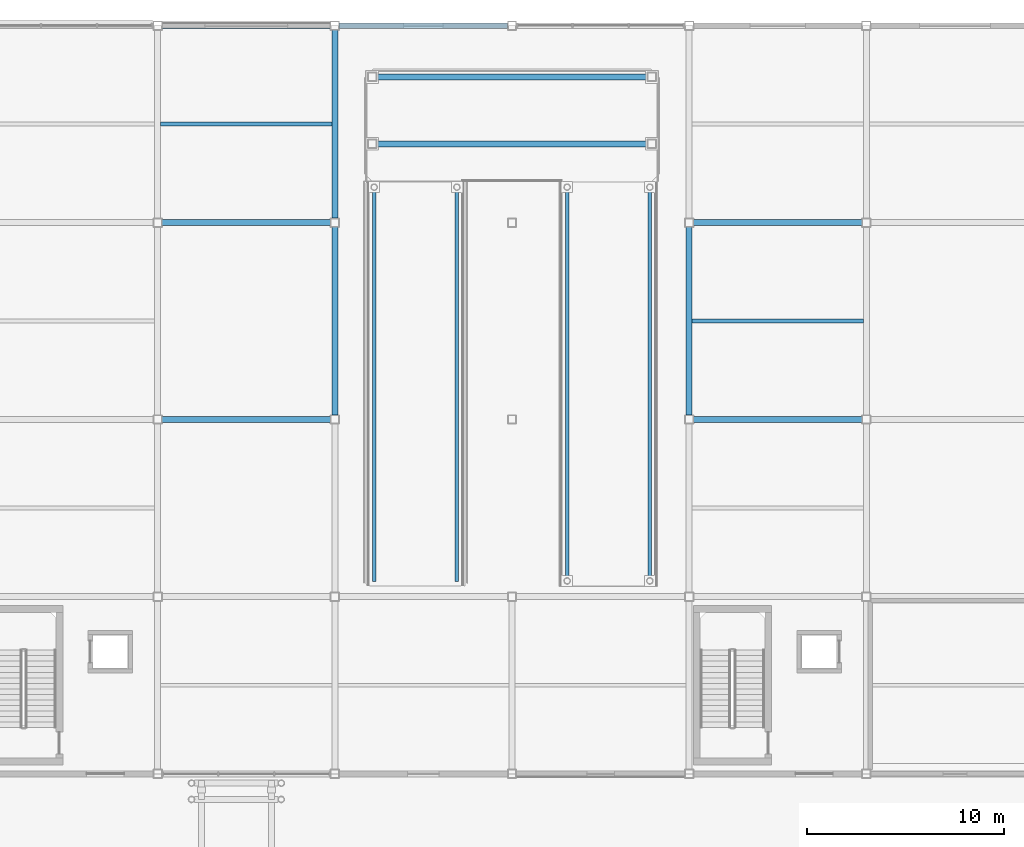
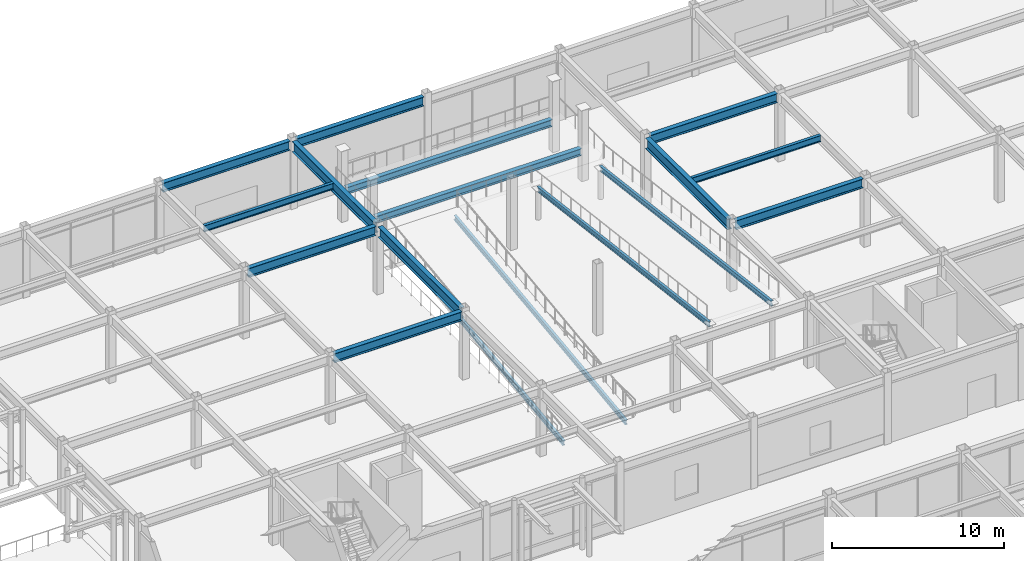
# One storey, part 51 of 123: 17 beams.
"""IFC4 building model written with IfcOpenShell, lengths in metres."""

from ifc_helpers import new_model, si_unit, direction, frame, origin, origin_2d, place, context, subcontext, project, spatial, i_section, extrude, material, material_profile, profile_set, type_object, element, save


model = new_model("IFC4")

# Units and contexts
model_context = context("Model", 3, precision=1e-05, world=origin(), true_north=direction((0.0, 1.0)))
body_context = subcontext(model_context, "Body", "Model", "MODEL_VIEW")
ifc_project = project(units=[si_unit("LENGTHUNIT", "METRE"), si_unit("AREAUNIT", "SQUARE_METRE"), si_unit("VOLUMEUNIT", "CUBIC_METRE"), si_unit("PLANEANGLEUNIT", "RADIAN"), si_unit("MASSUNIT", "GRAM", prefix="KILO")], contexts=[model_context])

# Site, building, storey
site_placement = place(None, origin())
site = spatial("IfcSite", under=ifc_project, at=site_placement, CompositionType="ELEMENT")
building_placement = place(site_placement, origin())
building = spatial("IfcBuilding", under=site, at=building_placement, Name="Suzunagisa Mobility Hub", CompositionType="ELEMENT")
storey_placement = place(building_placement, origin())
storey = spatial("IfcBuildingStorey", under=building, at=storey_placement, Name="L00", CompositionType="ELEMENT", Elevation=0.0)

# Beams
ifc_material_1 = material(Name="Steel SN400B", Category="steel")
ifc_material_profile_1 = material_profile(ifc_material_1, i_section(OverallWidth=0.175048828125, OverallDepth=0.35009765625, WebThickness=0.007080078125, FlangeThickness=0.010986328125, FilletRadius=0.008056640625, at=origin_2d()), Name="H-350x175x7x11")
ifc_profile_set_1 = profile_set([ifc_material_profile_1], Name="Steel SN400B")
beam_type_1 = type_object("IfcBeamType", Name="Steel Beam BM-03 H-350x175x7x11", PredefinedType="JOIST", material=ifc_profile_set_1)
for number, where, z_axis, x_axis, name in (
    (1, (74.0, 89.800048828125, -0.40380859375), (0.0, 0.992352243195, 0.123438346657), (-1.0, 0.0, 0.0), "L00 Vehicle Ramp Stringer Beam VR-03-F1-2309"),
    (2, (78.199951171875, 89.800048828125, -0.40380859375), (0.0, 0.992352243195, 0.123438346657), (-1.0, 0.0, 0.0), "L00 Vehicle Ramp Stringer Beam VR-03-F1-2310"),
    (3, (83.800048828125, 109.800048828125, 2.146240234375), (0.0, -0.992352243195, 0.123438346657), (1.0, 0.0, 0.0), "L00 Vehicle Ramp Stringer Beam VR-03-F2-2311"),
    (4, (88.0, 109.800048828125, 2.146240234375), (0.0, -0.992352243195, 0.123438346657), (1.0, 0.0, 0.0), "L00 Vehicle Ramp Stringer Beam VR-03-F2-2312"),
):
    element("IfcBeam", number, at=place(storey_placement, frame(where, z_axis=z_axis, x_axis=x_axis)), inside=storey, type_object=beam_type_1, Name=name, PredefinedType="JOIST", context=body_context, shape_type="SweptSolid", body=[
        extrude(i_section(OverallWidth=0.175048828125, OverallDepth=0.35009765625, WebThickness=0.007080078125, FlangeThickness=0.010986328125, FilletRadius=0.008056640625, at=origin_2d()), origin(), (0.0, 0.0, 1.0), 20.154052734375),
    ])
ifc_material_profile_2 = material_profile(ifc_material_1, i_section(OverallWidth=0.199951171875, OverallDepth=0.449951171875, WebThickness=0.009033203125, FlangeThickness=0.013916015625, FilletRadius=0.012939453125, at=origin_2d()), Name="H-450x200x9x14")
ifc_profile_set_2 = profile_set([ifc_material_profile_2], Name="Steel SN400B")
beam_type_2 = type_object("IfcBeamType", Name="Steel Beam BM-05 H-450x200x9x14", PredefinedType="JOIST", material=ifc_profile_set_2)
for number, where, z_axis, x_axis, name in (
    (5, (63.14990234375, 113.0, 4.614990234375), (1.0, 0.0, 0.0), (0.0, 1.0, 0.0), "L00 Composite Floor Joist J-787"),
    (6, (90.14990234375, 103.0, 4.614990234375), (1.0, 0.0, 0.0), (0.0, 1.0, 0.0), "L00 Composite Floor Joist J-791"),
):
    element("IfcBeam", number, at=place(storey_placement, frame(where, z_axis=z_axis, x_axis=x_axis)), inside=storey, type_object=beam_type_2, Name=name, PredefinedType="JOIST", context=body_context, shape_type="SweptSolid", body=[
        extrude(i_section(OverallWidth=0.199951171875, OverallDepth=0.449951171875, WebThickness=0.009033203125, FlangeThickness=0.013916015625, FilletRadius=0.012939453125, at=origin_2d()), origin(), (0.0, 0.0, 1.0), 8.7001953125),
    ])
ifc_material_2 = material(Name="Steel SN490B", Category="steel")
ifc_material_profile_3 = material_profile(ifc_material_2, i_section(OverallWidth=0.300048828125, OverallDepth=0.488037109375, WebThickness=0.010986328125, FlangeThickness=0.01806640625, FilletRadius=0.012939453125, at=origin_2d()), Name="H-488x300x11x18")
ifc_profile_set_3 = profile_set([ifc_material_profile_3], Name="Steel SN490B")
beam_type_3 = type_object("IfcBeamType", Name="Steel Beam BM-06 H-488x300x11x18", PredefinedType="BEAM", material=ifc_profile_set_3)
for number, where, z_axis, x_axis, name in (
    (7, (74.06005859375, 112.0, 2.055908203125), (1.0, 0.0, 0.0), (0.0, 1.0, 0.0), "L00 Ramp Turn Deck Support Girder 2313"),
    (8, (74.06005859375, 115.39990234375, 2.055908203125), (1.0, 0.0, 0.0), (0.0, 1.0, 0.0), "L00 Ramp Turn Deck Support Girder 2314"),
):
    element("IfcBeam", number, at=place(storey_placement, frame(where, z_axis=z_axis, x_axis=x_axis)), inside=storey, type_object=beam_type_3, Name=name, PredefinedType="BEAM", context=body_context, shape_type="SweptSolid", body=[
        extrude(i_section(OverallWidth=0.300048828125, OverallDepth=0.488037109375, WebThickness=0.010986328125, FlangeThickness=0.01806640625, FilletRadius=0.012939453125, at=origin_2d()), origin(), (0.0, 0.0, 1.0), 13.8798828125),
    ])
ifc_material_profile_4 = material_profile(ifc_material_2, i_section(OverallWidth=0.300048828125, OverallDepth=0.64990234375, WebThickness=0.012939453125, FlangeThickness=0.02197265625, FilletRadius=0.01611328125, at=origin_2d()), Name="H-650x300x13x22")
ifc_profile_set_4 = profile_set([ifc_material_profile_4], Name="Steel SN490B")
beam_type_4 = type_object("IfcBeamType", Name="Steel Beam BM-10 H-650x300x13x22", PredefinedType="BEAM", material=ifc_profile_set_4)
for number, where, z_axis, x_axis, name in (
    (9, (63.220947265625, 98.0, 4.514892578125), (1.0, 0.0, 0.0), (0.0, 1.0, 0.0), "L00 Primary Girder GX-722"),
    (10, (90.220947265625, 98.0, 4.514892578125), (1.0, 0.0, 0.0), (0.0, 1.0, 0.0), "L00 Primary Girder GX-723"),
    (11, (63.220947265625, 108.0, 4.514892578125), (1.0, 0.0, 0.0), (0.0, 1.0, 0.0), "L00 Primary Girder GX-729"),
    (12, (90.220947265625, 108.0, 4.514892578125), (1.0, 0.0, 0.0), (0.0, 1.0, 0.0), "L00 Primary Girder GX-730"),
    (13, (63.220947265625, 118.0, 4.514892578125), (1.0, 0.0, 0.0), (0.0, 1.0, 0.0), "L00 Primary Girder GX-736"),
    (14, (72.220947265625, 118.0, 4.514892578125), (1.0, 0.0, 0.0), (0.0, 1.0, 0.0), "L00 Primary Girder GX-737"),
):
    element("IfcBeam", number, at=place(storey_placement, frame(where, z_axis=z_axis, x_axis=x_axis)), inside=storey, type_object=beam_type_4, Name=name, PredefinedType="BEAM", context=body_context, shape_type="SweptSolid", body=[
        extrude(i_section(OverallWidth=0.300048828125, OverallDepth=0.64990234375, WebThickness=0.012939453125, FlangeThickness=0.02197265625, FilletRadius=0.01611328125, at=origin_2d()), origin(), (0.0, 0.0, 1.0), 8.55810546875),
    ])
ifc_material_profile_5 = material_profile(ifc_material_2, i_section(OverallWidth=0.300048828125, OverallDepth=0.75, WebThickness=0.013916015625, FlangeThickness=0.02587890625, FilletRadius=0.01806640625, at=origin_2d()), Name="H-750x300x14x26")
ifc_profile_set_5 = profile_set([ifc_material_profile_5], Name="Steel SN490B")
beam_type_5 = type_object("IfcBeamType", Name="Steel Beam BM-15 H-750x300x14x26", PredefinedType="BEAM", material=ifc_profile_set_5)
for number, where, z_axis, x_axis, name in (
    (15, (72.0, 98.220947265625, 4.465087890625), (0.0, 1.0, 0.0), (-1.0, 0.0, 0.0), "L00 Primary Girder GY-756"),
    (16, (72.0, 108.220947265625, 4.465087890625), (0.0, 1.0, 0.0), (-1.0, 0.0, 0.0), "L00 Primary Girder GY-757"),
    (17, (90.0, 98.220947265625, 4.465087890625), (0.0, 1.0, 0.0), (-1.0, 0.0, 0.0), "L00 Primary Girder GY-761"),
):
    element("IfcBeam", number, at=place(storey_placement, frame(where, z_axis=z_axis, x_axis=x_axis)), inside=storey, type_object=beam_type_5, Name=name, PredefinedType="BEAM", context=body_context, shape_type="SweptSolid", body=[
        extrude(i_section(OverallWidth=0.300048828125, OverallDepth=0.75, WebThickness=0.013916015625, FlangeThickness=0.02587890625, FilletRadius=0.01806640625, at=origin_2d()), origin(), (0.0, 0.0, 1.0), 9.55810546875),
    ])

save(model, "model.ifc")
